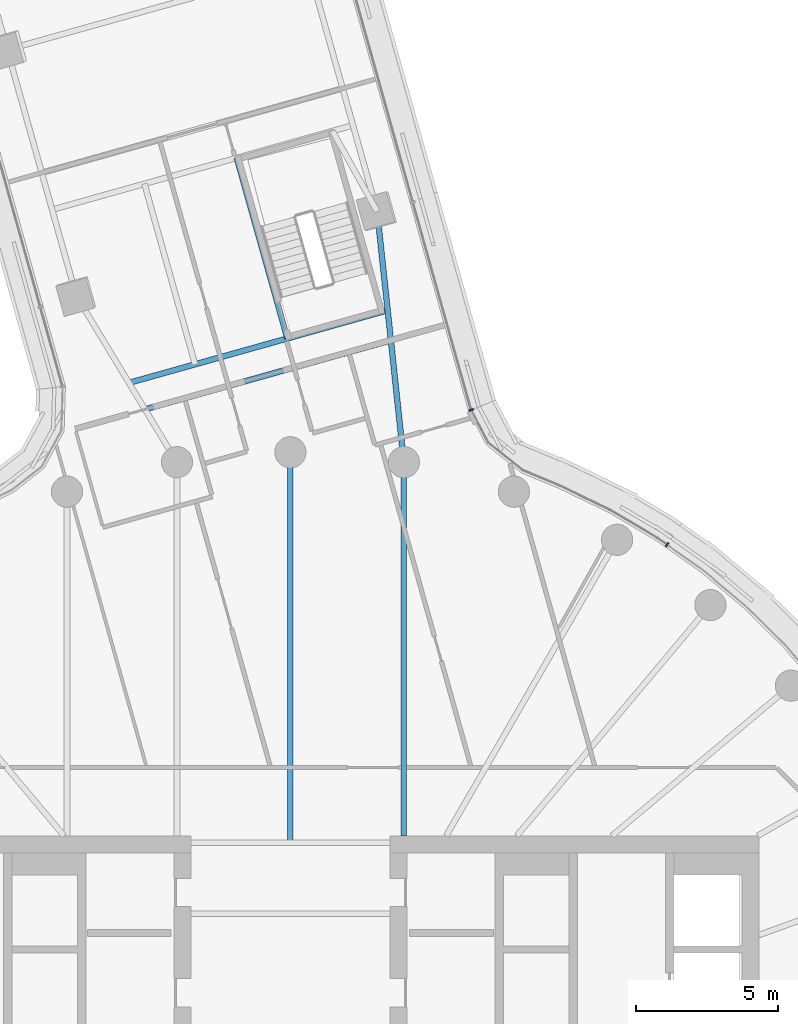
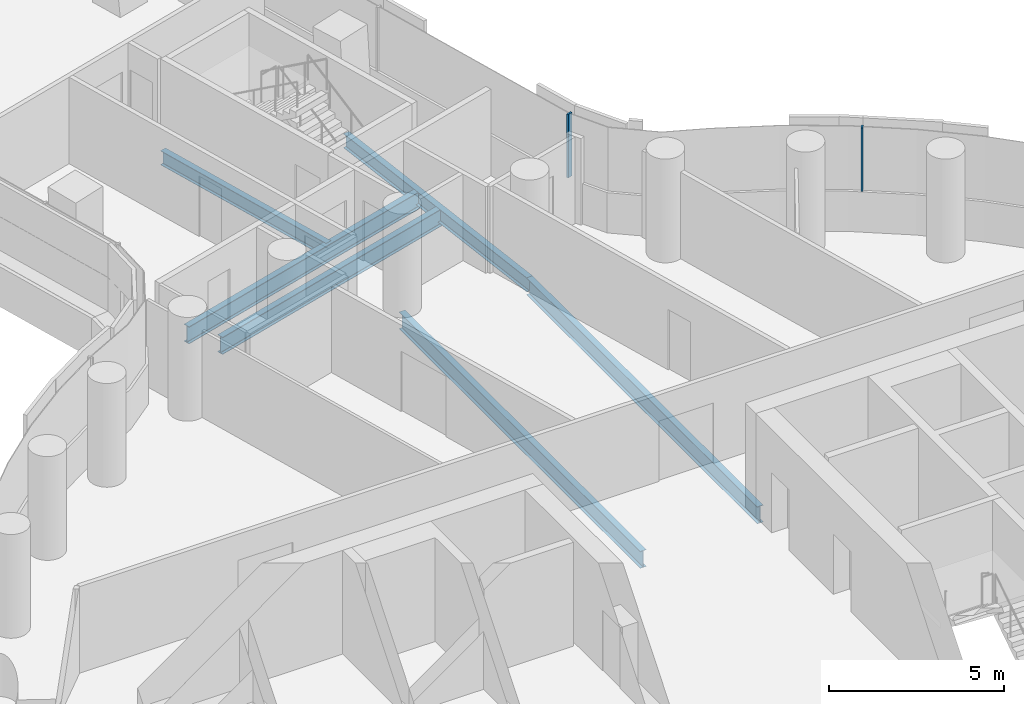
# One storey, part 14 of 30: 6 beams, 2 members, 2 elements without a shape of their own.
"""IFC4 building model written with IfcOpenShell, lengths in metres."""

import ifcopenshell
import ifcopenshell.guid

model = None  # the IFC model being written
_history = None  # IfcOwnerHistory: only IFC2X3 demands one
_inside = {}  # id of a spatial element -> (the spatial element, [elements in it])
_under = {}  # id of a project, library or spatial element -> (it, [spatial elements below it])
_declared = {}  # id of a project -> (the project, [libraries it declares])
_typed = {}  # id of a type object -> (the type object, [elements of that type])
_made_of = {}  # id of a material, layer set ... -> (it, [elements and type objects made of it])


def new_model(schema):
    """Start an empty IFC model of exactly this schema.

    Asked for "IFC4X3", IfcOpenShell would pick the latest addendum, in which some entities
    have other attributes; the version numbers below select the first issue.
    IFC2X3 requires an IfcOwnerHistory on every rooted entity: one is made here for all.
    """
    global model, _history
    if schema == "IFC4X3":
        model = ifcopenshell.file(schema_version=(4, 3, 0, 0))
    else:
        model = ifcopenshell.file(schema=schema)
    _inside.clear()
    _under.clear()
    _declared.clear()
    _typed.clear()
    _made_of.clear()
    _history = None
    if model.schema == "IFC2X3":
        org = make("IfcOrganization", Name="unknown")
        user = make(
            "IfcPersonAndOrganization",
            ThePerson=make("IfcPerson", FamilyName="unknown"),
            TheOrganization=org,
        )
        app = make(
            "IfcApplication",
            ApplicationDeveloper=org,
            Version="unknown",
            ApplicationFullName="unknown",
            ApplicationIdentifier="unknown",
        )
        _history = make(
            "IfcOwnerHistory",
            OwningUser=user,
            OwningApplication=app,
            ChangeAction="ADDED",
            CreationDate=0,
        )
    return model


def make(cls, **values):
    """One entity of the class cls with the attributes given. An attribute that is None is left unset."""
    return model.create_entity(
        cls, **{name: value for name, value in values.items() if value is not None}
    )


def rooted(cls, **values):
    """An entity with a GlobalId (a new one), such as an element, a storey or a relation."""
    return make(cls, GlobalId=ifcopenshell.guid.new(), OwnerHistory=_history, **values)


def si_unit(unit_type, name, prefix=None):
    """IfcSIUnit, for example si_unit("LENGTHUNIT", "METRE", prefix="MILLI")."""
    return make("IfcSIUnit", UnitType=unit_type, Prefix=prefix, Name=name)


def assignment(units):
    """IfcUnitAssignment: the units of a project."""
    return None if units is None else make("IfcUnitAssignment", Units=units)


def point(xyz):
    """IfcCartesianPoint."""
    return None if xyz is None else make("IfcCartesianPoint", Coordinates=xyz)


def direction(xyz):
    """IfcDirection."""
    return None if xyz is None else make("IfcDirection", DirectionRatios=xyz)


def frame(location, z_axis=None, x_axis=None):
    """IfcAxis2Placement3D, a coordinate frame: its origin and axes. An axis left out is left unset."""
    return make(
        "IfcAxis2Placement3D",
        Location=point(location),
        Axis=direction(z_axis),
        RefDirection=direction(x_axis),
    )


def frame_2d(location, x_axis=None):
    """IfcAxis2Placement2D, a coordinate frame in the plane: its origin and x axis."""
    return make(
        "IfcAxis2Placement2D", Location=point(location), RefDirection=direction(x_axis)
    )


def origin():
    """The frame at (0, 0, 0) with its axes left unset."""
    return frame((0.0, 0.0, 0.0))


def origin_2d():
    """The frame at (0, 0) in the plane with its x axis left unset."""
    return frame_2d((0.0, 0.0))


def place(relative_to, where):
    """IfcLocalPlacement: puts the frame where relative to a parent placement (None: the world)."""
    return make(
        "IfcLocalPlacement", PlacementRelTo=relative_to, RelativePlacement=where
    )


def context(
    kind, dimensions, precision=None, world=None, true_north=None, identifier=None
):
    """IfcGeometricRepresentationContext, for example the 3D "Model" context."""
    return make(
        "IfcGeometricRepresentationContext",
        ContextIdentifier=identifier,
        ContextType=kind,
        CoordinateSpaceDimension=dimensions,
        Precision=precision,
        WorldCoordinateSystem=world,
        TrueNorth=true_north,
    )


def subcontext(parent, identifier, kind, view, scale=None):
    """IfcGeometricRepresentationSubContext, for example "Body" below "Model"."""
    return make(
        "IfcGeometricRepresentationSubContext",
        ContextIdentifier=identifier,
        ContextType=kind,
        ParentContext=parent,
        TargetScale=scale,
        TargetView=view,
    )


def project(units=None, contexts=None):
    """IfcProject with its units and contexts."""
    return rooted(
        "IfcProject",
        Name="project",
        RepresentationContexts=contexts,
        UnitsInContext=assignment(units),
    )


def spatial(cls, under=None, at=None, **own):
    """A site, building, storey or space (cls), placed at a placement, below another one or the project."""
    s = rooted(cls, ObjectPlacement=at, **own)
    if under is not None:
        _under.setdefault(under.id(), (under, []))[1].append(s)
    return s


def profile(cls, at=None, kind="AREA", **sizes):
    """A parametric profile (cls). Its sizes go by their IFC names, for example OverallWidth=200.0."""
    return make(cls, ProfileType=kind, Position=at, **sizes)


def rectangle(**sizes):
    """IfcRectangleProfileDef."""
    return profile("IfcRectangleProfileDef", **sizes)


def i_section(**sizes):
    """IfcIShapeProfileDef."""
    return profile("IfcIShapeProfileDef", **sizes)


def extrude(swept, where, along, depth):
    """IfcExtrudedAreaSolid: the profile swept, set in the frame where, extruded along a direction by depth."""
    return make(
        "IfcExtrudedAreaSolid",
        SweptArea=swept,
        Position=where,
        ExtrudedDirection=direction(along),
        Depth=depth,
    )


def shape(context_of_items, identifier, shape_type, items):
    """IfcShapeRepresentation: the items that make up one representation, for example the "Body"."""
    return make(
        "IfcShapeRepresentation",
        ContextOfItems=context_of_items,
        RepresentationIdentifier=identifier,
        RepresentationType=shape_type,
        Items=items,
    )


def material(Name=None, Category=None):
    """IfcMaterial."""
    return make("IfcMaterial", Name=Name, Category=Category)


def layer(
    of_material, thickness, ventilated=None, Name=None, Category=None, Priority=None
):
    """IfcMaterialLayer: one layer of a wall or slab, of a material (None: an air gap)."""
    return make(
        "IfcMaterialLayer",
        Material=of_material,
        LayerThickness=thickness,
        IsVentilated=ventilated,
        Name=Name,
        Category=Category,
        Priority=Priority,
    )


def layer_set(layers, Name=None):
    """IfcMaterialLayerSet."""
    return make("IfcMaterialLayerSet", MaterialLayers=layers, LayerSetName=Name)


def material_profile(
    of_material, cross_section, Name=None, Category=None, Priority=None
):
    """IfcMaterialProfile: a cross section and its material."""
    return make(
        "IfcMaterialProfile",
        Name=Name,
        Material=of_material,
        Profile=cross_section,
        Priority=Priority,
        Category=Category,
    )


def profile_set(profiles, Name=None, composite=None):
    """IfcMaterialProfileSet."""
    return make(
        "IfcMaterialProfileSet",
        Name=Name,
        MaterialProfiles=profiles,
        CompositeProfile=composite,
    )


def made_of(thing, what):
    """Note that an element or type object is made of a material, layer set ...; save() writes the relation."""
    if what is not None:
        _made_of.setdefault(what.id(), (what, []))[1].append(thing)
    return thing


def type_object(cls, material=None, **own):
    """A type object (cls), such as IfcWallType, which elements share."""
    return made_of(rooted(cls, **own), material)


def element(
    cls,
    number,
    at=None,
    inside=None,
    cuts=None,
    type_object=None,
    material=None,
    context=None,
    identifier="Body",
    shape_type=None,
    held_by="IfcProductDefinitionShape",
    body=None,
    shapes=None,
    **own,
):
    """One element of the class cls, such as IfcWall. Its Tag is "e" and its number.

    at: its placement. inside: the storey or other place that contains it. cuts: it is an
    opening in that element (IfcRelVoidsElement). A single representation is given by context,
    identifier, shape_type and body (its items); several are given by shapes. held_by: the class
    of the entity that holds the representations. save() writes the other relations.
    """
    e = rooted(cls, Tag="e%d" % number, ObjectPlacement=at, **own)
    if body is not None:
        shapes = [shape(context, identifier, shape_type, body)]
    if shapes is not None:
        e.Representation = make(held_by, Representations=shapes)
    if inside is not None:
        _inside.setdefault(inside.id(), (inside, []))[1].append(e)
    if cuts is not None:
        rooted(
            "IfcRelVoidsElement", RelatingBuildingElement=cuts, RelatedOpeningElement=e
        )
    if type_object is not None:
        _typed.setdefault(type_object.id(), (type_object, []))[1].append(e)
    return made_of(e, material)


def aggregate(whole, parts):
    """IfcRelAggregates: a whole, such as a stair, and the parts it consists of."""
    return rooted("IfcRelAggregates", RelatingObject=whole, RelatedObjects=parts)


def save(model, path):
    """Write the relations noted so far, then the file.

    IfcRelAggregates (storeys below a building ...), IfcRelContainedInSpatialStructure (elements
    in a storey), IfcRelDefinesByType, IfcRelAssociatesMaterial and IfcRelDeclares: one each for
    every whole, place, type object, material and project.
    """
    for whole, parts in _under.values():
        aggregate(whole, parts)
    for where, things in _inside.values():
        rooted(
            "IfcRelContainedInSpatialStructure",
            RelatedElements=things,
            RelatingStructure=where,
        )
    for kind, things in _typed.values():
        rooted("IfcRelDefinesByType", RelatedObjects=things, RelatingType=kind)
    for what, things in _made_of.values():
        rooted("IfcRelAssociatesMaterial", RelatedObjects=things, RelatingMaterial=what)
    for by, libraries in _declared.values():
        rooted("IfcRelDeclares", RelatingContext=by, RelatedDefinitions=libraries)
    model.write(path)


model = new_model("IFC4")

# Units and contexts
model_context = context("Model", 3, precision=1e-05, world=origin(), true_north=direction((0.0, 1.0)))
body_context = subcontext(model_context, "Body", "Model", "MODEL_VIEW")
ifc_project = project(units=[si_unit("LENGTHUNIT", "METRE"), si_unit("AREAUNIT", "SQUARE_METRE"), si_unit("VOLUMEUNIT", "CUBIC_METRE"), si_unit("PLANEANGLEUNIT", "RADIAN"), si_unit("MASSUNIT", "GRAM", prefix="KILO")], contexts=[model_context])

# Site, building, storey
site_placement = place(None, origin())
site = spatial("IfcSite", under=ifc_project, at=site_placement, CompositionType="ELEMENT")
building_placement = place(site_placement, origin())
building = spatial("IfcBuilding", under=site, at=building_placement, Name="Tamarind Cross Interchange Tower", CompositionType="ELEMENT")
storey_placement = place(building_placement, frame((0.0, 0.0, 91.0)))
storey = spatial("IfcBuildingStorey", under=building, at=storey_placement, Name="L21", CompositionType="ELEMENT", Elevation=91.0)

# Beams
ifc_material_1 = material(Name="Steel Q355B", Category="steel")
ifc_material_profile_1 = material_profile(ifc_material_1, i_section(OverallWidth=0.198974609375, OverallDepth=0.49609375, WebThickness=0.009033203125, FlangeThickness=0.013916015625, FilletRadius=0.012939453125, at=origin_2d()), Name="HN 496x199x9x14")
ifc_profile_set_1 = profile_set([ifc_material_profile_1], Name="Steel Q355B")
beam_type_1 = type_object("IfcBeamType", Name="Composite beam HN 496x199x9x14 Q355B", PredefinedType="BEAM", material=ifc_profile_set_1)
beam_1_placement = place(storey_placement, frame((3.053466796875, 31.47705078125, -0.387939453125), z_axis=(0.105947497723, -0.994371725124, 0.0), x_axis=(0.994371725124, 0.105947497723, 0.0)))
element("IfcBeam", 1, at=beam_1_placement, inside=storey, type_object=beam_type_1, Name="Beam N-linkem", PredefinedType="BEAM", context=body_context, shape_type="SweptSolid", body=[
    extrude(i_section(OverallWidth=0.198974609375, OverallDepth=0.49609375, WebThickness=0.009033203125, FlangeThickness=0.013916015625, FilletRadius=0.012939453125, at=origin_2d()), origin(), (0.0, 0.0, 1.0), 8.87646484375),
])
beam_2_placement = place(storey_placement, frame((-0.106689453125, 27.00732421875, -0.387939453125), z_axis=(-0.270105996734, 0.96283059285, 0.0), x_axis=(-0.96283059285, -0.270105996734, 0.0)))
element("IfcBeam", 2, at=beam_2_placement, inside=storey, type_object=beam_type_1, Name="Beam N-tr1", PredefinedType="BEAM", context=body_context, shape_type="SweptSolid", body=[
    extrude(i_section(OverallWidth=0.198974609375, OverallDepth=0.49609375, WebThickness=0.009033203125, FlangeThickness=0.013916015625, FilletRadius=0.012939453125, at=origin_2d()), origin(), (0.0, 0.0, 1.0), 6.60009765625),
])
ifc_material_profile_2 = material_profile(ifc_material_1, i_section(OverallWidth=0.198974609375, OverallDepth=0.595947265625, WebThickness=0.010009765625, FlangeThickness=0.014892578125, FilletRadius=0.012939453125, at=origin_2d()), Name="HN 596x199x10x15")
ifc_profile_set_2 = profile_set([ifc_material_profile_2], Name="Steel Q355B")
beam_type_2 = type_object("IfcBeamType", Name="Composite beam HN 596x199x10x15 Q355B", PredefinedType="BEAM", material=ifc_profile_set_2)
beam_3_placement = place(storey_placement, frame((3.993896484375, 22.650634765625, -0.43798828125), z_axis=(0.0, -1.0, 0.0), x_axis=(1.0, 0.0, 0.0)))
element("IfcBeam", 3, at=beam_3_placement, inside=storey, type_object=beam_type_2, Name="Beam HH08", PredefinedType="BEAM", context=body_context, shape_type="SweptSolid", body=[
    extrude(i_section(OverallWidth=0.198974609375, OverallDepth=0.595947265625, WebThickness=0.010009765625, FlangeThickness=0.014892578125, FilletRadius=0.012939453125, at=origin_2d()), origin(), (0.0, 0.0, 1.0), 13.150634765625),
])
beam_4_placement = place(storey_placement, frame((0.0, 23.0, -0.43798828125), z_axis=(0.0, -1.0, 0.0), x_axis=(1.0, 0.0, 0.0)))
element("IfcBeam", 4, at=beam_4_placement, inside=storey, type_object=beam_type_2, Name="Beam HH09", PredefinedType="BEAM", context=body_context, shape_type="SweptSolid", body=[
    extrude(i_section(OverallWidth=0.198974609375, OverallDepth=0.595947265625, WebThickness=0.010009765625, FlangeThickness=0.014892578125, FilletRadius=0.012939453125, at=origin_2d()), origin(), (0.0, 0.0, 1.0), 13.75),
])
ifc_material_profile_3 = material_profile(ifc_material_1, i_section(OverallWidth=0.199951171875, OverallDepth=0.60009765625, WebThickness=0.010986328125, FlangeThickness=0.01708984375, FilletRadius=0.012939453125, at=origin_2d()), Name="HN 600x200x11x17")
ifc_profile_set_3 = profile_set([ifc_material_profile_3], Name="Steel Q355B")
beam_type_3 = type_object("IfcBeamType", Name="Composite beam HN 600x200x11x17 Q355B", PredefinedType="BEAM", material=ifc_profile_set_3)
beam_5_placement = place(storey_placement, frame((3.424072265625, 27.998046875, -0.43994140625), z_axis=(-0.962821017436, -0.270140127312, 0.0), x_axis=(0.270140127312, -0.962821017436, 0.0)))
element("IfcBeam", 5, at=beam_5_placement, inside=storey, type_object=beam_type_3, Name="Beam N-x268", PredefinedType="BEAM", context=body_context, shape_type="SweptSolid", body=[
    extrude(i_section(OverallWidth=0.199951171875, OverallDepth=0.60009765625, WebThickness=0.010986328125, FlangeThickness=0.01708984375, FilletRadius=0.012939453125, at=origin_2d()), origin(), (0.0, 0.0, 1.0), 9.459716796875),
])
beam_6_placement = place(storey_placement, frame((3.536865234375, 26.93896484375, -0.43994140625), z_axis=(-0.962829657078, -0.270109332401, 0.0), x_axis=(0.270109332401, -0.962829657078, 0.0)))
element("IfcBeam", 6, at=beam_6_placement, inside=storey, type_object=beam_type_3, Name="Beam N-x258", PredefinedType="BEAM", context=body_context, shape_type="SweptSolid", body=[
    extrude(i_section(OverallWidth=0.199951171875, OverallDepth=0.60009765625, WebThickness=0.010986328125, FlangeThickness=0.01708984375, FilletRadius=0.012939453125, at=origin_2d()), origin(), (0.0, 0.0, 1.0), 8.99072265625),
])

# Curtain wall, member
ifc_material_2 = material(Name="Aluminium 6063-T6", Category="aluminium")
ifc_layer = layer(ifc_material_2, 0.159912109375)
ifc_layer_set = layer_set([ifc_layer], Name="Aluminium 6063-T6")
curtain_wall_type = type_object("IfcCurtainWallType", Name="Office curtain wall, 9.0 m bays", PredefinedType="NOTDEFINED", material=ifc_layer_set)
curtain_wall_1_placement = place(storey_placement, origin())
curtain_wall_1 = element("IfcCurtainWall", 7, at=curtain_wall_1_placement, inside=storey, type_object=curtain_wall_type, Name="CWS-L21-06", PredefinedType="NOTDEFINED")
ifc_material_profile_4 = material_profile(ifc_material_2, rectangle(XDim=0.06005859375, YDim=0.159912109375, at=origin_2d()), Name="Mullion CW1")
ifc_profile_set_4 = profile_set([ifc_material_profile_4], Name="Aluminium 6063-T6")
member_type = type_object("IfcMemberType", Name="Mullion CW1", PredefinedType="MULLION", material=ifc_profile_set_4)
member_1_placement = place(storey_placement, frame((13.260498046875, 19.742431640625, 1.39990234375), z_axis=(0.0, 0.0, 1.0), x_axis=(-0.816341886298, 0.577568978284, 0.0)))
member_1 = element("IfcMember", 8, at=member_1_placement, type_object=member_type, Name="CWM-L21-06-02", PredefinedType="MULLION", context=body_context, shape_type="SweptSolid", body=[
    extrude(rectangle(XDim=0.06005859375, YDim=0.159912109375, at=origin_2d()), origin(), (0.0, 0.0, 1.0), 2.210205078125),
])
aggregate(curtain_wall_1, [member_1])

curtain_wall_2_placement = place(storey_placement, origin())
curtain_wall_2 = element("IfcCurtainWall", 9, at=curtain_wall_2_placement, inside=storey, type_object=curtain_wall_type, Name="CWS-L21-07", PredefinedType="NOTDEFINED")
member_2_placement = place(storey_placement, frame((6.36328125, 24.4921875, 1.39990234375), z_axis=(0.0, 0.0, 1.0), x_axis=(-0.369635216401, 0.929176951283, 0.0)))
member_2 = element("IfcMember", 10, at=member_2_placement, type_object=member_type, Name="CWM-L21-07-00", PredefinedType="MULLION", context=body_context, shape_type="SweptSolid", body=[
    extrude(rectangle(XDim=0.06005859375, YDim=0.159912109375, at=origin_2d()), origin(), (0.0, 0.0, 1.0), 2.210205078125),
])
aggregate(curtain_wall_2, [member_2])

save(model, "model.ifc")
